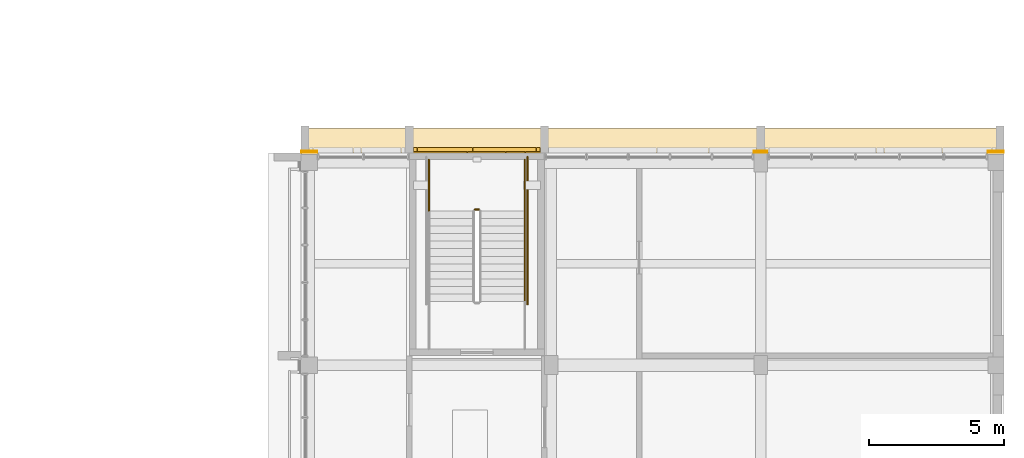
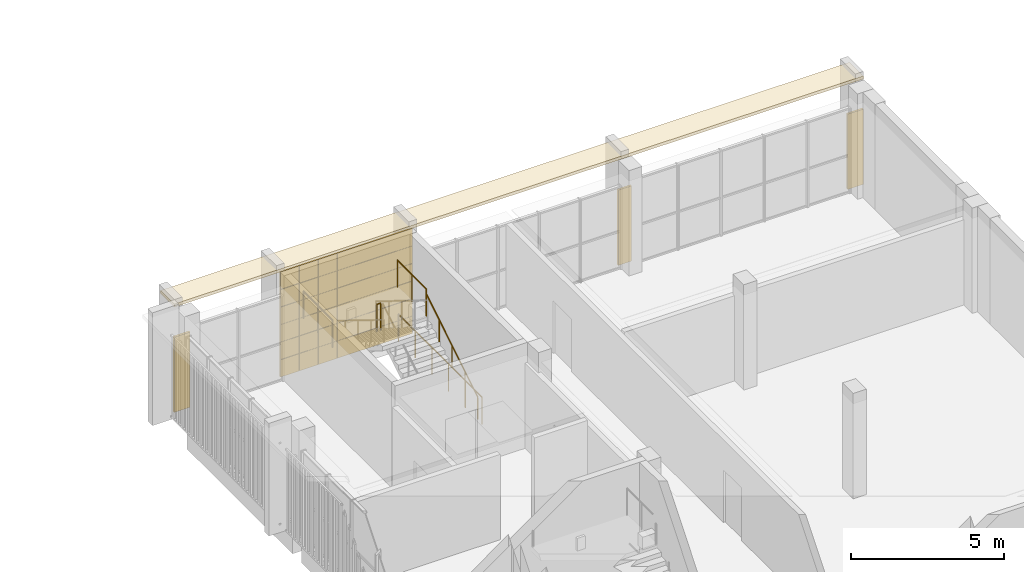
# One storey, part 90 of 92: 5 railings, 4 coverings.
"""IFC4 building model written with IfcOpenShell, lengths in metres."""

import ifcopenshell
import ifcopenshell.guid

model = None  # the IFC model being written
_history = None  # IfcOwnerHistory: only IFC2X3 demands one
_inside = {}  # id of a spatial element -> (the spatial element, [elements in it])
_under = {}  # id of a project, library or spatial element -> (it, [spatial elements below it])
_declared = {}  # id of a project -> (the project, [libraries it declares])
_typed = {}  # id of a type object -> (the type object, [elements of that type])
_made_of = {}  # id of a material, layer set ... -> (it, [elements and type objects made of it])


def new_model(schema):
    """Start an empty IFC model of exactly this schema.

    Asked for "IFC4X3", IfcOpenShell would pick the latest addendum, in which some entities
    have other attributes; the version numbers below select the first issue.
    IFC2X3 requires an IfcOwnerHistory on every rooted entity: one is made here for all.
    """
    global model, _history
    if schema == "IFC4X3":
        model = ifcopenshell.file(schema_version=(4, 3, 0, 0))
    else:
        model = ifcopenshell.file(schema=schema)
    _inside.clear()
    _under.clear()
    _declared.clear()
    _typed.clear()
    _made_of.clear()
    _history = None
    if model.schema == "IFC2X3":
        org = make("IfcOrganization", Name="unknown")
        user = make(
            "IfcPersonAndOrganization",
            ThePerson=make("IfcPerson", FamilyName="unknown"),
            TheOrganization=org,
        )
        app = make(
            "IfcApplication",
            ApplicationDeveloper=org,
            Version="unknown",
            ApplicationFullName="unknown",
            ApplicationIdentifier="unknown",
        )
        _history = make(
            "IfcOwnerHistory",
            OwningUser=user,
            OwningApplication=app,
            ChangeAction="ADDED",
            CreationDate=0,
        )
    return model


def make(cls, **values):
    """One entity of the class cls with the attributes given. An attribute that is None is left unset."""
    return model.create_entity(
        cls, **{name: value for name, value in values.items() if value is not None}
    )


def rooted(cls, **values):
    """An entity with a GlobalId (a new one), such as an element, a storey or a relation."""
    return make(cls, GlobalId=ifcopenshell.guid.new(), OwnerHistory=_history, **values)


def si_unit(unit_type, name, prefix=None):
    """IfcSIUnit, for example si_unit("LENGTHUNIT", "METRE", prefix="MILLI")."""
    return make("IfcSIUnit", UnitType=unit_type, Prefix=prefix, Name=name)


def assignment(units):
    """IfcUnitAssignment: the units of a project."""
    return None if units is None else make("IfcUnitAssignment", Units=units)


def point(xyz):
    """IfcCartesianPoint."""
    return None if xyz is None else make("IfcCartesianPoint", Coordinates=xyz)


def direction(xyz):
    """IfcDirection."""
    return None if xyz is None else make("IfcDirection", DirectionRatios=xyz)


def frame(location, z_axis=None, x_axis=None):
    """IfcAxis2Placement3D, a coordinate frame: its origin and axes. An axis left out is left unset."""
    return make(
        "IfcAxis2Placement3D",
        Location=point(location),
        Axis=direction(z_axis),
        RefDirection=direction(x_axis),
    )


def frame_2d(location, x_axis=None):
    """IfcAxis2Placement2D, a coordinate frame in the plane: its origin and x axis."""
    return make(
        "IfcAxis2Placement2D", Location=point(location), RefDirection=direction(x_axis)
    )


def origin():
    """The frame at (0, 0, 0) with its axes left unset."""
    return frame((0.0, 0.0, 0.0))


def origin_2d():
    """The frame at (0, 0) in the plane with its x axis left unset."""
    return frame_2d((0.0, 0.0))


def place(relative_to, where):
    """IfcLocalPlacement: puts the frame where relative to a parent placement (None: the world)."""
    return make(
        "IfcLocalPlacement", PlacementRelTo=relative_to, RelativePlacement=where
    )


def context(
    kind, dimensions, precision=None, world=None, true_north=None, identifier=None
):
    """IfcGeometricRepresentationContext, for example the 3D "Model" context."""
    return make(
        "IfcGeometricRepresentationContext",
        ContextIdentifier=identifier,
        ContextType=kind,
        CoordinateSpaceDimension=dimensions,
        Precision=precision,
        WorldCoordinateSystem=world,
        TrueNorth=true_north,
    )


def subcontext(parent, identifier, kind, view, scale=None):
    """IfcGeometricRepresentationSubContext, for example "Body" below "Model"."""
    return make(
        "IfcGeometricRepresentationSubContext",
        ContextIdentifier=identifier,
        ContextType=kind,
        ParentContext=parent,
        TargetScale=scale,
        TargetView=view,
    )


def project(units=None, contexts=None):
    """IfcProject with its units and contexts."""
    return rooted(
        "IfcProject",
        Name="project",
        RepresentationContexts=contexts,
        UnitsInContext=assignment(units),
    )


def spatial(cls, under=None, at=None, **own):
    """A site, building, storey or space (cls), placed at a placement, below another one or the project."""
    s = rooted(cls, ObjectPlacement=at, **own)
    if under is not None:
        _under.setdefault(under.id(), (under, []))[1].append(s)
    return s


def polyline(points):
    """IfcPolyline through the points."""
    return make("IfcPolyline", Points=[point(p) for p in points])


def profile(cls, at=None, kind="AREA", **sizes):
    """A parametric profile (cls). Its sizes go by their IFC names, for example OverallWidth=200.0."""
    return make(cls, ProfileType=kind, Position=at, **sizes)


def rectangle(**sizes):
    """IfcRectangleProfileDef."""
    return profile("IfcRectangleProfileDef", **sizes)


def circle(**sizes):
    """IfcCircleProfileDef."""
    return profile("IfcCircleProfileDef", **sizes)


def outline(outer, holes=None, kind="AREA"):
    """IfcArbitraryClosedProfileDef: a profile drawn as a closed curve; with holes, ...WithVoids."""
    if holes is None:
        return make("IfcArbitraryClosedProfileDef", ProfileType=kind, OuterCurve=outer)
    return make(
        "IfcArbitraryProfileDefWithVoids",
        ProfileType=kind,
        OuterCurve=outer,
        InnerCurves=holes,
    )


def extrude(swept, where, along, depth):
    """IfcExtrudedAreaSolid: the profile swept, set in the frame where, extruded along a direction by depth."""
    return make(
        "IfcExtrudedAreaSolid",
        SweptArea=swept,
        Position=where,
        ExtrudedDirection=direction(along),
        Depth=depth,
    )


def shape(context_of_items, identifier, shape_type, items):
    """IfcShapeRepresentation: the items that make up one representation, for example the "Body"."""
    return make(
        "IfcShapeRepresentation",
        ContextOfItems=context_of_items,
        RepresentationIdentifier=identifier,
        RepresentationType=shape_type,
        Items=items,
    )


def material(Name=None, Category=None):
    """IfcMaterial."""
    return make("IfcMaterial", Name=Name, Category=Category)


def layer(
    of_material, thickness, ventilated=None, Name=None, Category=None, Priority=None
):
    """IfcMaterialLayer: one layer of a wall or slab, of a material (None: an air gap)."""
    return make(
        "IfcMaterialLayer",
        Material=of_material,
        LayerThickness=thickness,
        IsVentilated=ventilated,
        Name=Name,
        Category=Category,
        Priority=Priority,
    )


def layer_set(layers, Name=None):
    """IfcMaterialLayerSet."""
    return make("IfcMaterialLayerSet", MaterialLayers=layers, LayerSetName=Name)


def made_of(thing, what):
    """Note that an element or type object is made of a material, layer set ...; save() writes the relation."""
    if what is not None:
        _made_of.setdefault(what.id(), (what, []))[1].append(thing)
    return thing


def type_object(cls, material=None, **own):
    """A type object (cls), such as IfcWallType, which elements share."""
    return made_of(rooted(cls, **own), material)


def element(
    cls,
    number,
    at=None,
    inside=None,
    cuts=None,
    type_object=None,
    material=None,
    context=None,
    identifier="Body",
    shape_type=None,
    held_by="IfcProductDefinitionShape",
    body=None,
    shapes=None,
    **own,
):
    """One element of the class cls, such as IfcWall. Its Tag is "e" and its number.

    at: its placement. inside: the storey or other place that contains it. cuts: it is an
    opening in that element (IfcRelVoidsElement). A single representation is given by context,
    identifier, shape_type and body (its items); several are given by shapes. held_by: the class
    of the entity that holds the representations. save() writes the other relations.
    """
    e = rooted(cls, Tag="e%d" % number, ObjectPlacement=at, **own)
    if body is not None:
        shapes = [shape(context, identifier, shape_type, body)]
    if shapes is not None:
        e.Representation = make(held_by, Representations=shapes)
    if inside is not None:
        _inside.setdefault(inside.id(), (inside, []))[1].append(e)
    if cuts is not None:
        rooted(
            "IfcRelVoidsElement", RelatingBuildingElement=cuts, RelatedOpeningElement=e
        )
    if type_object is not None:
        _typed.setdefault(type_object.id(), (type_object, []))[1].append(e)
    return made_of(e, material)


def aggregate(whole, parts):
    """IfcRelAggregates: a whole, such as a stair, and the parts it consists of."""
    return rooted("IfcRelAggregates", RelatingObject=whole, RelatedObjects=parts)


def save(model, path):
    """Write the relations noted so far, then the file.

    IfcRelAggregates (storeys below a building ...), IfcRelContainedInSpatialStructure (elements
    in a storey), IfcRelDefinesByType, IfcRelAssociatesMaterial and IfcRelDeclares: one each for
    every whole, place, type object, material and project.
    """
    for whole, parts in _under.values():
        aggregate(whole, parts)
    for where, things in _inside.values():
        rooted(
            "IfcRelContainedInSpatialStructure",
            RelatedElements=things,
            RelatingStructure=where,
        )
    for kind, things in _typed.values():
        rooted("IfcRelDefinesByType", RelatedObjects=things, RelatingType=kind)
    for what, things in _made_of.values():
        rooted("IfcRelAssociatesMaterial", RelatedObjects=things, RelatingMaterial=what)
    for by, libraries in _declared.values():
        rooted("IfcRelDeclares", RelatingContext=by, RelatedDefinitions=libraries)
    model.write(path)


model = new_model("IFC4")

# Units and contexts
model_context = context("Model", 3, precision=1e-05, world=origin(), true_north=direction((0.0, 1.0)))
body_context = subcontext(model_context, "Body", "Model", "MODEL_VIEW")
ifc_project = project(units=[si_unit("LENGTHUNIT", "METRE"), si_unit("AREAUNIT", "SQUARE_METRE"), si_unit("VOLUMEUNIT", "CUBIC_METRE"), si_unit("PLANEANGLEUNIT", "RADIAN"), si_unit("MASSUNIT", "GRAM", prefix="KILO")], contexts=[model_context])

# Site, building, storey
site_placement = place(None, origin())
site = spatial("IfcSite", under=ifc_project, at=site_placement, CompositionType="ELEMENT")
building_placement = place(site_placement, origin())
building = spatial("IfcBuilding", under=site, at=building_placement, Name="Sun Court Science Centre", CompositionType="ELEMENT")
storey_placement = place(building_placement, frame((0.0, 0.0, 11.25)))
storey = spatial("IfcBuildingStorey", under=building, at=storey_placement, Name="L02", CompositionType="ELEMENT", Elevation=11.25)

# Covering
ifc_material_1 = material(Name="Red sandstone", Category="masonry")
ifc_layer_1 = layer(ifc_material_1, 0.199951171875)
ifc_layer_set_1 = layer_set([ifc_layer_1], Name="Red sandstone")
covering_type_1 = type_object("IfcCoveringType", Name="Arched jali screen 200", PredefinedType="CLADDING", material=ifc_layer_set_1)
covering_1_placement = place(storey_placement, frame((0.0, 0.0, -11.25)))
element("IfcCovering", 1, at=covering_1_placement, inside=storey, type_object=covering_type_1, Name="Arched jali screen north L02 02", PredefinedType="CLADDING", context=body_context, shape_type="SweptSolid", body=[
    extrude(rectangle(XDim=0.139892578125, YDim=0.199951171875, at=origin_2d()), frame((82.22509765625, 81.10009765625, 11.55517578125), z_axis=(0.0, 0.0, 1.0), x_axis=(1.0, 0.0, 0.0)), (0.0, 0.0, 1.0), 2.665283203125),
    extrude(rectangle(XDim=0.2900390625, YDim=0.199951171875, at=origin_2d()), frame((84.5, 81.10009765625, 11.55517578125), z_axis=(0.0, 0.0, 1.0), x_axis=(1.0, 0.0, 0.0)), (0.0, 0.0, 1.0), 2.665283203125),
    extrude(rectangle(XDim=0.139892578125, YDim=0.199951171875, at=origin_2d()), frame((86.77490234375, 81.10009765625, 11.55517578125), z_axis=(0.0, 0.0, 1.0), x_axis=(1.0, 0.0, 0.0)), (0.0, 0.0, 1.0), 2.665283203125),
    extrude(rectangle(XDim=2.0400390625, YDim=0.199951171875, at=origin_2d()), frame((83.324951171875, 81.10009765625, 11.55517578125), z_axis=(0.0, 0.0, 1.0), x_axis=(1.0, 0.0, 0.0)), (0.0, 0.0, 1.0), 0.590087890625),
    extrude(rectangle(XDim=0.024658203125, YDim=0.199951171875, at=origin_2d()), frame((82.3173828125, 81.10009765625, 12.455078125), z_axis=(0.0, 0.0, 1.0), x_axis=(1.0, 0.0, 0.0)), (0.0, 0.0, 1.0), 0.139892578125),
    extrude(rectangle(XDim=0.024658203125, YDim=0.199951171875, at=origin_2d()), frame((84.332763671875, 81.10009765625, 12.455078125), z_axis=(0.0, 0.0, 1.0), x_axis=(1.0, 0.0, 0.0)), (0.0, 0.0, 1.0), 0.139892578125),
    extrude(rectangle(XDim=0.058349609375, YDim=0.199951171875, at=origin_2d()), frame((82.334228515625, 81.10009765625, 12.60498046875), z_axis=(0.0, 0.0, 1.0), x_axis=(1.0, 0.0, 0.0)), (0.0, 0.0, 1.0), 0.139892578125),
    extrude(rectangle(XDim=0.058349609375, YDim=0.199951171875, at=origin_2d()), frame((84.31591796875, 81.10009765625, 12.60498046875), z_axis=(0.0, 0.0, 1.0), x_axis=(1.0, 0.0, 0.0)), (0.0, 0.0, 1.0), 0.139892578125),
    extrude(rectangle(XDim=0.104248046875, YDim=0.199951171875, at=origin_2d()), frame((82.357177734375, 81.10009765625, 12.7548828125), z_axis=(0.0, 0.0, 1.0), x_axis=(1.0, 0.0, 0.0)), (0.0, 0.0, 1.0), 0.139892578125),
    extrude(rectangle(XDim=0.104248046875, YDim=0.199951171875, at=origin_2d()), frame((84.292724609375, 81.10009765625, 12.7548828125), z_axis=(0.0, 0.0, 1.0), x_axis=(1.0, 0.0, 0.0)), (0.0, 0.0, 1.0), 0.139892578125),
    extrude(rectangle(XDim=0.163330078125, YDim=0.199951171875, at=origin_2d()), frame((82.38671875, 81.10009765625, 12.9052734375), z_axis=(0.0, 0.0, 1.0), x_axis=(1.0, 0.0, 0.0)), (0.0, 0.0, 1.0), 0.139892578125),
    extrude(rectangle(XDim=0.163330078125, YDim=0.199951171875, at=origin_2d()), frame((84.263427734375, 81.10009765625, 12.9052734375), z_axis=(0.0, 0.0, 1.0), x_axis=(1.0, 0.0, 0.0)), (0.0, 0.0, 1.0), 0.139892578125),
    extrude(rectangle(XDim=0.23681640625, YDim=0.199951171875, at=origin_2d()), frame((82.42333984375, 81.10009765625, 13.05517578125), z_axis=(0.0, 0.0, 1.0), x_axis=(1.0, 0.0, 0.0)), (0.0, 0.0, 1.0), 0.139892578125),
    extrude(rectangle(XDim=0.23681640625, YDim=0.199951171875, at=origin_2d()), frame((84.2265625, 81.10009765625, 13.05517578125), z_axis=(0.0, 0.0, 1.0), x_axis=(1.0, 0.0, 0.0)), (0.0, 0.0, 1.0), 0.139892578125),
    extrude(rectangle(XDim=0.326171875, YDim=0.199951171875, at=origin_2d()), frame((82.468017578125, 81.10009765625, 13.205078125), z_axis=(0.0, 0.0, 1.0), x_axis=(1.0, 0.0, 0.0)), (0.0, 0.0, 1.0), 0.139892578125),
    extrude(rectangle(XDim=0.326171875, YDim=0.199951171875, at=origin_2d()), frame((84.181884765625, 81.10009765625, 13.205078125), z_axis=(0.0, 0.0, 1.0), x_axis=(1.0, 0.0, 0.0)), (0.0, 0.0, 1.0), 0.139892578125),
    extrude(rectangle(XDim=0.434814453125, YDim=0.199951171875, at=origin_2d()), frame((82.5224609375, 81.10009765625, 13.35498046875), z_axis=(0.0, 0.0, 1.0), x_axis=(1.0, 0.0, 0.0)), (0.0, 0.0, 1.0), 0.139892578125),
    extrude(rectangle(XDim=0.434814453125, YDim=0.199951171875, at=origin_2d()), frame((84.127685546875, 81.10009765625, 13.35498046875), z_axis=(0.0, 0.0, 1.0), x_axis=(1.0, 0.0, 0.0)), (0.0, 0.0, 1.0), 0.139892578125),
    extrude(rectangle(XDim=0.566162109375, YDim=0.199951171875, at=origin_2d()), frame((82.588134765625, 81.10009765625, 13.5048828125), z_axis=(0.0, 0.0, 1.0), x_axis=(1.0, 0.0, 0.0)), (0.0, 0.0, 1.0), 0.139892578125),
    extrude(rectangle(XDim=0.566162109375, YDim=0.199951171875, at=origin_2d()), frame((84.061767578125, 81.10009765625, 13.5048828125), z_axis=(0.0, 0.0, 1.0), x_axis=(1.0, 0.0, 0.0)), (0.0, 0.0, 1.0), 0.139892578125),
    extrude(rectangle(XDim=0.727783203125, YDim=0.199951171875, at=origin_2d()), frame((82.6689453125, 81.10009765625, 13.6552734375), z_axis=(0.0, 0.0, 1.0), x_axis=(1.0, 0.0, 0.0)), (0.0, 0.0, 1.0), 0.139892578125),
    extrude(rectangle(XDim=0.727783203125, YDim=0.199951171875, at=origin_2d()), frame((83.981201171875, 81.10009765625, 13.6552734375), z_axis=(0.0, 0.0, 1.0), x_axis=(1.0, 0.0, 0.0)), (0.0, 0.0, 1.0), 0.139892578125),
    extrude(rectangle(XDim=0.932373046875, YDim=0.199951171875, at=origin_2d()), frame((82.771240234375, 81.10009765625, 13.80517578125), z_axis=(0.0, 0.0, 1.0), x_axis=(1.0, 0.0, 0.0)), (0.0, 0.0, 1.0), 0.139892578125),
    extrude(rectangle(XDim=0.932373046875, YDim=0.199951171875, at=origin_2d()), frame((83.87890625, 81.10009765625, 13.80517578125), z_axis=(0.0, 0.0, 1.0), x_axis=(1.0, 0.0, 0.0)), (0.0, 0.0, 1.0), 0.139892578125),
    extrude(rectangle(XDim=2.0400390625, YDim=0.199951171875, at=origin_2d()), frame((83.324951171875, 81.10009765625, 13.955078125), z_axis=(0.0, 0.0, 1.0), x_axis=(1.0, 0.0, 0.0)), (0.0, 0.0, 1.0), 0.139892578125),
    extrude(rectangle(XDim=2.0400390625, YDim=0.199951171875, at=origin_2d()), frame((83.324951171875, 81.10009765625, 14.10498046875), z_axis=(0.0, 0.0, 1.0), x_axis=(1.0, 0.0, 0.0)), (0.0, 0.0, 1.0), 0.115234375),
    extrude(rectangle(XDim=0.0400390625, YDim=0.199951171875, at=origin_2d()), frame((82.55615234375, 81.10009765625, 12.155029296875), z_axis=(0.0, 0.0, 1.0), x_axis=(1.0, 0.0, 0.0)), (0.0, 0.0, 1.0), 0.982421875),
    extrude(rectangle(XDim=0.0400390625, YDim=0.199951171875, at=origin_2d()), frame((82.8125, 81.10009765625, 12.15478515625), z_axis=(0.0, 0.0, 1.0), x_axis=(1.0, 0.0, 0.0)), (0.0, 0.0, 1.0), 1.345947265625),
    extrude(rectangle(XDim=0.0400390625, YDim=0.199951171875, at=origin_2d()), frame((83.06884765625, 81.10009765625, 12.155029296875), z_axis=(0.0, 0.0, 1.0), x_axis=(1.0, 0.0, 0.0)), (0.0, 0.0, 1.0), 1.59033203125),
    extrude(rectangle(XDim=0.0400390625, YDim=0.199951171875, at=origin_2d()), frame((83.324951171875, 81.10009765625, 12.15478515625), z_axis=(0.0, 0.0, 1.0), x_axis=(1.0, 0.0, 0.0)), (0.0, 0.0, 1.0), 1.765380859375),
    extrude(rectangle(XDim=0.0400390625, YDim=0.199951171875, at=origin_2d()), frame((83.581298828125, 81.10009765625, 12.155029296875), z_axis=(0.0, 0.0, 1.0), x_axis=(1.0, 0.0, 0.0)), (0.0, 0.0, 1.0), 1.59033203125),
    extrude(rectangle(XDim=0.0400390625, YDim=0.199951171875, at=origin_2d()), frame((83.83740234375, 81.10009765625, 12.15478515625), z_axis=(0.0, 0.0, 1.0), x_axis=(1.0, 0.0, 0.0)), (0.0, 0.0, 1.0), 1.345947265625),
    extrude(rectangle(XDim=0.0400390625, YDim=0.199951171875, at=origin_2d()), frame((84.09375, 81.10009765625, 12.155029296875), z_axis=(0.0, 0.0, 1.0), x_axis=(1.0, 0.0, 0.0)), (0.0, 0.0, 1.0), 0.982421875),
    extrude(rectangle(XDim=2.0400390625, YDim=0.199951171875, at=origin_2d()), frame((85.675048828125, 81.10009765625, 11.55517578125), z_axis=(0.0, 0.0, 1.0), x_axis=(1.0, 0.0, 0.0)), (0.0, 0.0, 1.0), 0.590087890625),
    extrude(rectangle(XDim=0.024658203125, YDim=0.199951171875, at=origin_2d()), frame((84.667236328125, 81.10009765625, 12.455078125), z_axis=(0.0, 0.0, 1.0), x_axis=(1.0, 0.0, 0.0)), (0.0, 0.0, 1.0), 0.139892578125),
    extrude(rectangle(XDim=0.024658203125, YDim=0.199951171875, at=origin_2d()), frame((86.6826171875, 81.10009765625, 12.455078125), z_axis=(0.0, 0.0, 1.0), x_axis=(1.0, 0.0, 0.0)), (0.0, 0.0, 1.0), 0.139892578125),
    extrude(rectangle(XDim=0.058349609375, YDim=0.199951171875, at=origin_2d()), frame((84.68408203125, 81.10009765625, 12.60498046875), z_axis=(0.0, 0.0, 1.0), x_axis=(1.0, 0.0, 0.0)), (0.0, 0.0, 1.0), 0.139892578125),
    extrude(rectangle(XDim=0.058349609375, YDim=0.199951171875, at=origin_2d()), frame((86.665771484375, 81.10009765625, 12.60498046875), z_axis=(0.0, 0.0, 1.0), x_axis=(1.0, 0.0, 0.0)), (0.0, 0.0, 1.0), 0.139892578125),
    extrude(rectangle(XDim=0.104248046875, YDim=0.199951171875, at=origin_2d()), frame((84.707275390625, 81.10009765625, 12.7548828125), z_axis=(0.0, 0.0, 1.0), x_axis=(1.0, 0.0, 0.0)), (0.0, 0.0, 1.0), 0.139892578125),
    extrude(rectangle(XDim=0.104248046875, YDim=0.199951171875, at=origin_2d()), frame((86.642822265625, 81.10009765625, 12.7548828125), z_axis=(0.0, 0.0, 1.0), x_axis=(1.0, 0.0, 0.0)), (0.0, 0.0, 1.0), 0.139892578125),
    extrude(rectangle(XDim=0.163330078125, YDim=0.199951171875, at=origin_2d()), frame((84.736572265625, 81.10009765625, 12.9052734375), z_axis=(0.0, 0.0, 1.0), x_axis=(1.0, 0.0, 0.0)), (0.0, 0.0, 1.0), 0.139892578125),
    extrude(rectangle(XDim=0.163330078125, YDim=0.199951171875, at=origin_2d()), frame((86.61328125, 81.10009765625, 12.9052734375), z_axis=(0.0, 0.0, 1.0), x_axis=(1.0, 0.0, 0.0)), (0.0, 0.0, 1.0), 0.139892578125),
    extrude(rectangle(XDim=0.23681640625, YDim=0.199951171875, at=origin_2d()), frame((84.7734375, 81.10009765625, 13.05517578125), z_axis=(0.0, 0.0, 1.0), x_axis=(1.0, 0.0, 0.0)), (0.0, 0.0, 1.0), 0.139892578125),
    extrude(rectangle(XDim=0.23681640625, YDim=0.199951171875, at=origin_2d()), frame((86.57666015625, 81.10009765625, 13.05517578125), z_axis=(0.0, 0.0, 1.0), x_axis=(1.0, 0.0, 0.0)), (0.0, 0.0, 1.0), 0.139892578125),
    extrude(rectangle(XDim=0.326171875, YDim=0.199951171875, at=origin_2d()), frame((84.818115234375, 81.10009765625, 13.205078125), z_axis=(0.0, 0.0, 1.0), x_axis=(1.0, 0.0, 0.0)), (0.0, 0.0, 1.0), 0.139892578125),
    extrude(rectangle(XDim=0.326171875, YDim=0.199951171875, at=origin_2d()), frame((86.531982421875, 81.10009765625, 13.205078125), z_axis=(0.0, 0.0, 1.0), x_axis=(1.0, 0.0, 0.0)), (0.0, 0.0, 1.0), 0.139892578125),
    extrude(rectangle(XDim=0.434814453125, YDim=0.199951171875, at=origin_2d()), frame((84.872314453125, 81.10009765625, 13.35498046875), z_axis=(0.0, 0.0, 1.0), x_axis=(1.0, 0.0, 0.0)), (0.0, 0.0, 1.0), 0.139892578125),
    extrude(rectangle(XDim=0.434814453125, YDim=0.199951171875, at=origin_2d()), frame((86.4775390625, 81.10009765625, 13.35498046875), z_axis=(0.0, 0.0, 1.0), x_axis=(1.0, 0.0, 0.0)), (0.0, 0.0, 1.0), 0.139892578125),
    extrude(rectangle(XDim=0.566162109375, YDim=0.199951171875, at=origin_2d()), frame((84.938232421875, 81.10009765625, 13.5048828125), z_axis=(0.0, 0.0, 1.0), x_axis=(1.0, 0.0, 0.0)), (0.0, 0.0, 1.0), 0.139892578125),
    extrude(rectangle(XDim=0.566162109375, YDim=0.199951171875, at=origin_2d()), frame((86.411865234375, 81.10009765625, 13.5048828125), z_axis=(0.0, 0.0, 1.0), x_axis=(1.0, 0.0, 0.0)), (0.0, 0.0, 1.0), 0.139892578125),
    extrude(rectangle(XDim=0.727783203125, YDim=0.199951171875, at=origin_2d()), frame((85.018798828125, 81.10009765625, 13.6552734375), z_axis=(0.0, 0.0, 1.0), x_axis=(1.0, 0.0, 0.0)), (0.0, 0.0, 1.0), 0.139892578125),
    extrude(rectangle(XDim=0.727783203125, YDim=0.199951171875, at=origin_2d()), frame((86.3310546875, 81.10009765625, 13.6552734375), z_axis=(0.0, 0.0, 1.0), x_axis=(1.0, 0.0, 0.0)), (0.0, 0.0, 1.0), 0.139892578125),
    extrude(rectangle(XDim=0.932373046875, YDim=0.199951171875, at=origin_2d()), frame((85.12109375, 81.10009765625, 13.80517578125), z_axis=(0.0, 0.0, 1.0), x_axis=(1.0, 0.0, 0.0)), (0.0, 0.0, 1.0), 0.139892578125),
    extrude(rectangle(XDim=0.932373046875, YDim=0.199951171875, at=origin_2d()), frame((86.228759765625, 81.10009765625, 13.80517578125), z_axis=(0.0, 0.0, 1.0), x_axis=(1.0, 0.0, 0.0)), (0.0, 0.0, 1.0), 0.139892578125),
    extrude(rectangle(XDim=2.0400390625, YDim=0.199951171875, at=origin_2d()), frame((85.675048828125, 81.10009765625, 13.955078125), z_axis=(0.0, 0.0, 1.0), x_axis=(1.0, 0.0, 0.0)), (0.0, 0.0, 1.0), 0.139892578125),
    extrude(rectangle(XDim=2.0400390625, YDim=0.199951171875, at=origin_2d()), frame((85.675048828125, 81.10009765625, 14.10498046875), z_axis=(0.0, 0.0, 1.0), x_axis=(1.0, 0.0, 0.0)), (0.0, 0.0, 1.0), 0.115234375),
    extrude(rectangle(XDim=0.0400390625, YDim=0.199951171875, at=origin_2d()), frame((84.90625, 81.10009765625, 12.155029296875), z_axis=(0.0, 0.0, 1.0), x_axis=(1.0, 0.0, 0.0)), (0.0, 0.0, 1.0), 0.982421875),
    extrude(rectangle(XDim=0.0400390625, YDim=0.199951171875, at=origin_2d()), frame((85.16259765625, 81.10009765625, 12.15478515625), z_axis=(0.0, 0.0, 1.0), x_axis=(1.0, 0.0, 0.0)), (0.0, 0.0, 1.0), 1.345947265625),
    extrude(rectangle(XDim=0.0400390625, YDim=0.199951171875, at=origin_2d()), frame((85.418701171875, 81.10009765625, 12.155029296875), z_axis=(0.0, 0.0, 1.0), x_axis=(1.0, 0.0, 0.0)), (0.0, 0.0, 1.0), 1.59033203125),
    extrude(rectangle(XDim=0.0400390625, YDim=0.199951171875, at=origin_2d()), frame((85.675048828125, 81.10009765625, 12.15478515625), z_axis=(0.0, 0.0, 1.0), x_axis=(1.0, 0.0, 0.0)), (0.0, 0.0, 1.0), 1.765380859375),
    extrude(rectangle(XDim=0.0400390625, YDim=0.199951171875, at=origin_2d()), frame((85.93115234375, 81.10009765625, 12.155029296875), z_axis=(0.0, 0.0, 1.0), x_axis=(1.0, 0.0, 0.0)), (0.0, 0.0, 1.0), 1.59033203125),
    extrude(rectangle(XDim=0.0400390625, YDim=0.199951171875, at=origin_2d()), frame((86.1875, 81.10009765625, 12.15478515625), z_axis=(0.0, 0.0, 1.0), x_axis=(1.0, 0.0, 0.0)), (0.0, 0.0, 1.0), 1.345947265625),
    extrude(rectangle(XDim=0.0400390625, YDim=0.199951171875, at=origin_2d()), frame((86.44384765625, 81.10009765625, 12.155029296875), z_axis=(0.0, 0.0, 1.0), x_axis=(1.0, 0.0, 0.0)), (0.0, 0.0, 1.0), 0.982421875),
])

# Railings
ifc_material_2 = material(Name="Steel S275", Category="steel")
railing_type_1 = type_object("IfcRailingType", Name="Guard 1100 steel balustrade", PredefinedType="GUARDRAIL", material=ifc_material_2)
railing_1_placement = place(storey_placement, frame((84.574951171875, 78.907958984375, 2.25)))
element("IfcRailing", 2, at=railing_1_placement, inside=storey, type_object=railing_type_1, Name="L02 SL4 stair guard 2", PredefinedType="GUARDRAIL", context=body_context, shape_type="SweptSolid", body=[
    extrude(circle(Radius=0.02392578125, at=origin_2d()), frame((0.0, 0.0, 1.076171875), z_axis=(-1.0, 0.0, 0.0), x_axis=(0.0, -1.0, 0.0)), (0.0, 0.0, 1.0), 0.14990234375),
    extrude(circle(Radius=0.02099609375, at=origin_2d()), origin(), (0.0, 0.0, 1.0), 1.052001953125),
    extrude(circle(Radius=0.02099609375, at=origin_2d()), frame((-0.14990234375, 0.0, 0.0)), (0.0, 0.0, 1.0), 1.052001953125),
])
for number, where, name in (
    (3, (86.27294921875, 78.85791015625, 2.25), "L02 SL4 stair guard 3"),
    (4, (82.72705078125, 78.85791015625, 2.25), "L02 SL4 stair guard 4"),
):
    element("IfcRailing", number, at=place(storey_placement, frame(where)), inside=storey, type_object=railing_type_1, Name=name, PredefinedType="GUARDRAIL", context=body_context, shape_type="SweptSolid", body=[
        extrude(circle(Radius=0.02392578125, at=origin_2d()), frame((0.0, 0.0, 1.076171875), z_axis=(0.0, 1.0, 0.0), x_axis=(-1.0, 0.0, 0.0)), (0.0, 0.0, 1.0), 1.89208984375),
        extrude(circle(Radius=0.02099609375, at=origin_2d()), origin(), (0.0, 0.0, 1.0), 1.052001953125),
        extrude(circle(Radius=0.02099609375, at=origin_2d()), frame((0.0, 0.946044921875, 0.0)), (0.0, 0.0, 1.0), 1.052001953125),
        extrude(circle(Radius=0.02099609375, at=origin_2d()), frame((0.0, 1.89208984375, 0.0)), (0.0, 0.0, 1.0), 1.052001953125),
    ])
railing_2_placement = place(storey_placement, frame((86.373046875, 75.39794921875, 0.0)))
element("IfcRailing", 5, at=railing_2_placement, inside=storey, type_object=railing_type_1, Name="L02 SL4 stair guard 9", PredefinedType="GUARDRAIL", context=body_context, shape_type="SweptSolid", body=[
    extrude(circle(Radius=0.02392578125, at=origin_2d()), frame((0.0, 0.0, 1.076171875), z_axis=(0.0, 1.0, 0.0), x_axis=(-1.0, 0.0, 0.0)), (0.0, 0.0, 1.0), 5.4521484375),
    extrude(circle(Radius=0.02099609375, at=origin_2d()), origin(), (0.0, 0.0, 1.0), 1.052001953125),
    extrude(circle(Radius=0.02099609375, at=origin_2d()), frame((0.0, 1.09033203125, 0.0)), (0.0, 0.0, 1.0), 1.052001953125),
    extrude(circle(Radius=0.02099609375, at=origin_2d()), frame((0.0, 2.180908203125, 0.0)), (0.0, 0.0, 1.0), 1.052001953125),
    extrude(circle(Radius=0.02099609375, at=origin_2d()), frame((0.0, 3.271240234375, 0.0)), (0.0, 0.0, 1.0), 1.052001953125),
    extrude(circle(Radius=0.02099609375, at=origin_2d()), frame((0.0, 4.36181640625, 0.0)), (0.0, 0.0, 1.0), 1.052001953125),
    extrude(circle(Radius=0.02099609375, at=origin_2d()), frame((0.0, 5.4521484375, 0.0)), (0.0, 0.0, 1.0), 1.052001953125),
])
ifc_material_3 = material(Name="Stainless steel", Category="steel")
railing_type_2 = type_object("IfcRailingType", Name="Handrail 900 stainless", PredefinedType="HANDRAIL", material=ifc_material_3)
railing_3_placement = place(storey_placement, frame((86.27294921875, 75.498046875, 0.173095703125)))
element("IfcRailing", 6, at=railing_3_placement, inside=storey, type_object=railing_type_2, Name="L02 SL4 stair handrail 1", PredefinedType="HANDRAIL", context=body_context, shape_type="SweptSolid", body=[
    extrude(circle(Radius=0.02392578125, at=origin_2d()), frame((0.0, 0.0, 0.8759765625), z_axis=(0.0, 0.850606129759, 0.525803396734), x_axis=(-1.0, 0.0, 0.0)), (0.0, 0.0, 1.0), 3.949951171875),
    extrude(circle(Radius=0.02099609375, at=origin_2d()), origin(), (0.0, 0.0, 1.0), 0.851806640625),
    extrude(circle(Radius=0.02099609375, at=origin_2d()), frame((0.0, 0.83984375, 0.519287109375)), (0.0, 0.0, 1.0), 0.851806640625),
    extrude(circle(Radius=0.02099609375, at=origin_2d()), frame((0.0, 1.679931640625, 1.03857421875)), (0.0, 0.0, 1.0), 0.851806640625),
    extrude(circle(Radius=0.02099609375, at=origin_2d()), frame((0.0, 2.52001953125, 1.5576171875)), (0.0, 0.0, 1.0), 0.851806640625),
    extrude(circle(Radius=0.02099609375, at=origin_2d()), frame((0.0, 3.35986328125, 2.076904296875)), (0.0, 0.0, 1.0), 0.851806640625),
])

# Coverings
ifc_material_4 = material(Name="Red sandstone", Category="masonry")
ifc_layer_2 = layer(ifc_material_4, 0.080078125)
ifc_layer_set_2 = layer_set([ifc_layer_2], Name="Red sandstone")
covering_type_2 = type_object("IfcCoveringType", Name="Red sandstone pier cladding", PredefinedType="CLADDING", material=ifc_layer_set_2)
covering_2_placement = place(storey_placement, frame((0.0, 0.0, -11.25)))
element("IfcCovering", 7, at=covering_2_placement, inside=storey, type_object=covering_type_2, Name="Red sandstone pier cladding north face L02", PredefinedType="CLADDING", context=body_context, shape_type="SweptSolid", body=[
    extrude(rectangle(XDim=0.60009765625, YDim=0.080078125, at=origin_2d()), frame((78.300048828125, 81.0400390625, 11.25), z_axis=(0.0, 0.0, 1.0), x_axis=(1.0, 0.0, 0.0)), (0.0, 0.0, 1.0), 3.0),
    extrude(rectangle(XDim=0.5, YDim=0.080078125, at=origin_2d()), frame((95.0, 81.0400390625, 11.25), z_axis=(0.0, 0.0, 1.0), x_axis=(1.0, 0.0, 0.0)), (0.0, 0.0, 1.0), 3.0),
    extrude(rectangle(XDim=0.60009765625, YDim=0.080078125, at=origin_2d()), frame((103.699951171875, 81.0400390625, 11.25), z_axis=(0.0, 0.0, 1.0), x_axis=(1.0, 0.0, 0.0)), (0.0, 0.0, 1.0), 3.0),
])
ifc_material_5 = material(Name="Red sandstone", Category="masonry")
ifc_layer_3 = layer(ifc_material_5, 0.06005859375)
ifc_layer_set_3 = layer_set([ifc_layer_3], Name="Red sandstone")
covering_type_3 = type_object("IfcCoveringType", Name="Red sandstone wall cladding 750", PredefinedType="CLADDING", material=ifc_layer_set_3)
covering_3_placement = place(storey_placement, frame((0.0, 0.0, -11.25)))
element("IfcCovering", 8, at=covering_3_placement, inside=storey, type_object=covering_type_3, Name="Red sandstone wall cladding north face L02", PredefinedType="CLADDING", context=body_context, shape_type="SweptSolid", body=[
    extrude(rectangle(XDim=0.704345703125, YDim=0.06005859375, at=origin_2d()), frame((82.357177734375, 81.030029296875, 11.255126953125), z_axis=(0.0, 0.0, 1.0), x_axis=(1.0, 0.0, 0.0)), (0.0, 0.0, 1.0), 0.68994140625),
    extrude(rectangle(XDim=0.704345703125, YDim=0.06005859375, at=origin_2d()), frame((83.071533203125, 81.030029296875, 11.255126953125), z_axis=(0.0, 0.0, 1.0), x_axis=(1.0, 0.0, 0.0)), (0.0, 0.0, 1.0), 0.68994140625),
    extrude(rectangle(XDim=0.704345703125, YDim=0.06005859375, at=origin_2d()), frame((83.78564453125, 81.030029296875, 11.255126953125), z_axis=(0.0, 0.0, 1.0), x_axis=(1.0, 0.0, 0.0)), (0.0, 0.0, 1.0), 0.68994140625),
    extrude(rectangle(XDim=0.704345703125, YDim=0.06005859375, at=origin_2d()), frame((84.5, 81.030029296875, 11.255126953125), z_axis=(0.0, 0.0, 1.0), x_axis=(1.0, 0.0, 0.0)), (0.0, 0.0, 1.0), 0.68994140625),
    extrude(rectangle(XDim=0.704345703125, YDim=0.06005859375, at=origin_2d()), frame((85.21435546875, 81.030029296875, 11.255126953125), z_axis=(0.0, 0.0, 1.0), x_axis=(1.0, 0.0, 0.0)), (0.0, 0.0, 1.0), 0.68994140625),
    extrude(rectangle(XDim=0.704345703125, YDim=0.06005859375, at=origin_2d()), frame((85.928466796875, 81.030029296875, 11.255126953125), z_axis=(0.0, 0.0, 1.0), x_axis=(1.0, 0.0, 0.0)), (0.0, 0.0, 1.0), 0.68994140625),
    extrude(rectangle(XDim=0.704345703125, YDim=0.06005859375, at=origin_2d()), frame((86.642822265625, 81.030029296875, 11.255126953125), z_axis=(0.0, 0.0, 1.0), x_axis=(1.0, 0.0, 0.0)), (0.0, 0.0, 1.0), 0.68994140625),
    extrude(rectangle(XDim=0.704345703125, YDim=0.06005859375, at=origin_2d()), frame((82.357177734375, 81.030029296875, 11.955078125), z_axis=(0.0, 0.0, 1.0), x_axis=(1.0, 0.0, 0.0)), (0.0, 0.0, 1.0), 0.68994140625),
    extrude(rectangle(XDim=0.704345703125, YDim=0.06005859375, at=origin_2d()), frame((83.071533203125, 81.030029296875, 11.955078125), z_axis=(0.0, 0.0, 1.0), x_axis=(1.0, 0.0, 0.0)), (0.0, 0.0, 1.0), 0.68994140625),
    extrude(rectangle(XDim=0.704345703125, YDim=0.06005859375, at=origin_2d()), frame((83.78564453125, 81.030029296875, 11.955078125), z_axis=(0.0, 0.0, 1.0), x_axis=(1.0, 0.0, 0.0)), (0.0, 0.0, 1.0), 0.68994140625),
    extrude(rectangle(XDim=0.704345703125, YDim=0.06005859375, at=origin_2d()), frame((84.5, 81.030029296875, 11.955078125), z_axis=(0.0, 0.0, 1.0), x_axis=(1.0, 0.0, 0.0)), (0.0, 0.0, 1.0), 0.68994140625),
    extrude(rectangle(XDim=0.704345703125, YDim=0.06005859375, at=origin_2d()), frame((85.21435546875, 81.030029296875, 11.955078125), z_axis=(0.0, 0.0, 1.0), x_axis=(1.0, 0.0, 0.0)), (0.0, 0.0, 1.0), 0.68994140625),
    extrude(rectangle(XDim=0.704345703125, YDim=0.06005859375, at=origin_2d()), frame((85.928466796875, 81.030029296875, 11.955078125), z_axis=(0.0, 0.0, 1.0), x_axis=(1.0, 0.0, 0.0)), (0.0, 0.0, 1.0), 0.68994140625),
    extrude(rectangle(XDim=0.704345703125, YDim=0.06005859375, at=origin_2d()), frame((86.642822265625, 81.030029296875, 11.955078125), z_axis=(0.0, 0.0, 1.0), x_axis=(1.0, 0.0, 0.0)), (0.0, 0.0, 1.0), 0.68994140625),
    extrude(rectangle(XDim=0.704345703125, YDim=0.06005859375, at=origin_2d()), frame((82.357177734375, 81.030029296875, 12.655029296875), z_axis=(0.0, 0.0, 1.0), x_axis=(1.0, 0.0, 0.0)), (0.0, 0.0, 1.0), 0.68994140625),
    extrude(rectangle(XDim=0.704345703125, YDim=0.06005859375, at=origin_2d()), frame((83.071533203125, 81.030029296875, 12.655029296875), z_axis=(0.0, 0.0, 1.0), x_axis=(1.0, 0.0, 0.0)), (0.0, 0.0, 1.0), 0.68994140625),
    extrude(rectangle(XDim=0.704345703125, YDim=0.06005859375, at=origin_2d()), frame((83.78564453125, 81.030029296875, 12.655029296875), z_axis=(0.0, 0.0, 1.0), x_axis=(1.0, 0.0, 0.0)), (0.0, 0.0, 1.0), 0.68994140625),
    extrude(rectangle(XDim=0.704345703125, YDim=0.06005859375, at=origin_2d()), frame((84.5, 81.030029296875, 12.655029296875), z_axis=(0.0, 0.0, 1.0), x_axis=(1.0, 0.0, 0.0)), (0.0, 0.0, 1.0), 0.68994140625),
    extrude(rectangle(XDim=0.704345703125, YDim=0.06005859375, at=origin_2d()), frame((85.21435546875, 81.030029296875, 12.655029296875), z_axis=(0.0, 0.0, 1.0), x_axis=(1.0, 0.0, 0.0)), (0.0, 0.0, 1.0), 0.68994140625),
    extrude(rectangle(XDim=0.704345703125, YDim=0.06005859375, at=origin_2d()), frame((85.928466796875, 81.030029296875, 12.655029296875), z_axis=(0.0, 0.0, 1.0), x_axis=(1.0, 0.0, 0.0)), (0.0, 0.0, 1.0), 0.68994140625),
    extrude(rectangle(XDim=0.704345703125, YDim=0.06005859375, at=origin_2d()), frame((86.642822265625, 81.030029296875, 12.655029296875), z_axis=(0.0, 0.0, 1.0), x_axis=(1.0, 0.0, 0.0)), (0.0, 0.0, 1.0), 0.68994140625),
    extrude(rectangle(XDim=0.704345703125, YDim=0.06005859375, at=origin_2d()), frame((82.357177734375, 81.030029296875, 13.35498046875), z_axis=(0.0, 0.0, 1.0), x_axis=(1.0, 0.0, 0.0)), (0.0, 0.0, 1.0), 0.68994140625),
    extrude(rectangle(XDim=0.704345703125, YDim=0.06005859375, at=origin_2d()), frame((83.071533203125, 81.030029296875, 13.35498046875), z_axis=(0.0, 0.0, 1.0), x_axis=(1.0, 0.0, 0.0)), (0.0, 0.0, 1.0), 0.68994140625),
    extrude(rectangle(XDim=0.704345703125, YDim=0.06005859375, at=origin_2d()), frame((83.78564453125, 81.030029296875, 13.35498046875), z_axis=(0.0, 0.0, 1.0), x_axis=(1.0, 0.0, 0.0)), (0.0, 0.0, 1.0), 0.68994140625),
    extrude(rectangle(XDim=0.704345703125, YDim=0.06005859375, at=origin_2d()), frame((84.5, 81.030029296875, 13.35498046875), z_axis=(0.0, 0.0, 1.0), x_axis=(1.0, 0.0, 0.0)), (0.0, 0.0, 1.0), 0.68994140625),
    extrude(rectangle(XDim=0.704345703125, YDim=0.06005859375, at=origin_2d()), frame((85.21435546875, 81.030029296875, 13.35498046875), z_axis=(0.0, 0.0, 1.0), x_axis=(1.0, 0.0, 0.0)), (0.0, 0.0, 1.0), 0.68994140625),
    extrude(rectangle(XDim=0.704345703125, YDim=0.06005859375, at=origin_2d()), frame((85.928466796875, 81.030029296875, 13.35498046875), z_axis=(0.0, 0.0, 1.0), x_axis=(1.0, 0.0, 0.0)), (0.0, 0.0, 1.0), 0.68994140625),
    extrude(rectangle(XDim=0.704345703125, YDim=0.06005859375, at=origin_2d()), frame((86.642822265625, 81.030029296875, 13.35498046875), z_axis=(0.0, 0.0, 1.0), x_axis=(1.0, 0.0, 0.0)), (0.0, 0.0, 1.0), 0.68994140625),
    extrude(rectangle(XDim=0.704345703125, YDim=0.06005859375, at=origin_2d()), frame((82.357177734375, 81.030029296875, 14.054931640625), z_axis=(0.0, 0.0, 1.0), x_axis=(1.0, 0.0, 0.0)), (0.0, 0.0, 1.0), 0.68994140625),
    extrude(rectangle(XDim=0.704345703125, YDim=0.06005859375, at=origin_2d()), frame((83.071533203125, 81.030029296875, 14.054931640625), z_axis=(0.0, 0.0, 1.0), x_axis=(1.0, 0.0, 0.0)), (0.0, 0.0, 1.0), 0.68994140625),
    extrude(rectangle(XDim=0.704345703125, YDim=0.06005859375, at=origin_2d()), frame((83.78564453125, 81.030029296875, 14.054931640625), z_axis=(0.0, 0.0, 1.0), x_axis=(1.0, 0.0, 0.0)), (0.0, 0.0, 1.0), 0.68994140625),
    extrude(rectangle(XDim=0.704345703125, YDim=0.06005859375, at=origin_2d()), frame((84.5, 81.030029296875, 14.054931640625), z_axis=(0.0, 0.0, 1.0), x_axis=(1.0, 0.0, 0.0)), (0.0, 0.0, 1.0), 0.68994140625),
    extrude(rectangle(XDim=0.704345703125, YDim=0.06005859375, at=origin_2d()), frame((85.21435546875, 81.030029296875, 14.054931640625), z_axis=(0.0, 0.0, 1.0), x_axis=(1.0, 0.0, 0.0)), (0.0, 0.0, 1.0), 0.68994140625),
    extrude(rectangle(XDim=0.704345703125, YDim=0.06005859375, at=origin_2d()), frame((85.928466796875, 81.030029296875, 14.054931640625), z_axis=(0.0, 0.0, 1.0), x_axis=(1.0, 0.0, 0.0)), (0.0, 0.0, 1.0), 0.68994140625),
    extrude(rectangle(XDim=0.704345703125, YDim=0.06005859375, at=origin_2d()), frame((86.642822265625, 81.030029296875, 14.054931640625), z_axis=(0.0, 0.0, 1.0), x_axis=(1.0, 0.0, 0.0)), (0.0, 0.0, 1.0), 0.68994140625),
    extrude(rectangle(XDim=0.704345703125, YDim=0.06005859375, at=origin_2d()), frame((82.357177734375, 81.030029296875, 14.755126953125), z_axis=(0.0, 0.0, 1.0), x_axis=(1.0, 0.0, 0.0)), (0.0, 0.0, 1.0), 0.68994140625),
    extrude(rectangle(XDim=0.704345703125, YDim=0.06005859375, at=origin_2d()), frame((83.071533203125, 81.030029296875, 14.755126953125), z_axis=(0.0, 0.0, 1.0), x_axis=(1.0, 0.0, 0.0)), (0.0, 0.0, 1.0), 0.68994140625),
    extrude(rectangle(XDim=0.704345703125, YDim=0.06005859375, at=origin_2d()), frame((83.78564453125, 81.030029296875, 14.755126953125), z_axis=(0.0, 0.0, 1.0), x_axis=(1.0, 0.0, 0.0)), (0.0, 0.0, 1.0), 0.68994140625),
    extrude(rectangle(XDim=0.704345703125, YDim=0.06005859375, at=origin_2d()), frame((84.5, 81.030029296875, 14.755126953125), z_axis=(0.0, 0.0, 1.0), x_axis=(1.0, 0.0, 0.0)), (0.0, 0.0, 1.0), 0.68994140625),
    extrude(rectangle(XDim=0.704345703125, YDim=0.06005859375, at=origin_2d()), frame((85.21435546875, 81.030029296875, 14.755126953125), z_axis=(0.0, 0.0, 1.0), x_axis=(1.0, 0.0, 0.0)), (0.0, 0.0, 1.0), 0.68994140625),
    extrude(rectangle(XDim=0.704345703125, YDim=0.06005859375, at=origin_2d()), frame((85.928466796875, 81.030029296875, 14.755126953125), z_axis=(0.0, 0.0, 1.0), x_axis=(1.0, 0.0, 0.0)), (0.0, 0.0, 1.0), 0.68994140625),
    extrude(rectangle(XDim=0.704345703125, YDim=0.06005859375, at=origin_2d()), frame((86.642822265625, 81.030029296875, 14.755126953125), z_axis=(0.0, 0.0, 1.0), x_axis=(1.0, 0.0, 0.0)), (0.0, 0.0, 1.0), 0.68994140625),
])
ifc_material_6 = material(Name="Red sandstone", Category="masonry")
ifc_layer_4 = layer(ifc_material_6, 0.1201171875)
ifc_layer_set_4 = layer_set([ifc_layer_4], Name="Red sandstone")
covering_type_4 = type_object("IfcCoveringType", Name="Sandstone chhajja eave 900", PredefinedType="CLADDING", material=ifc_layer_set_4)
covering_4_placement = place(storey_placement, frame((0.0, 0.0, 4.199951171875)))
element("IfcCovering", 9, at=covering_4_placement, inside=storey, type_object=covering_type_4, Name="Chhajja eave north face L02", PredefinedType="CLADDING", context=body_context, shape_type="SweptSolid", body=[
    extrude(outline(polyline([(78.0, 81.0), (104.0, 81.0), (104.0, 81.89990234375), (78.0, 81.89990234375), (78.0, 81.0)])), origin(), (0.0, 0.0, 1.0), 0.1201171875),
])

save(model, "model.ifc")
